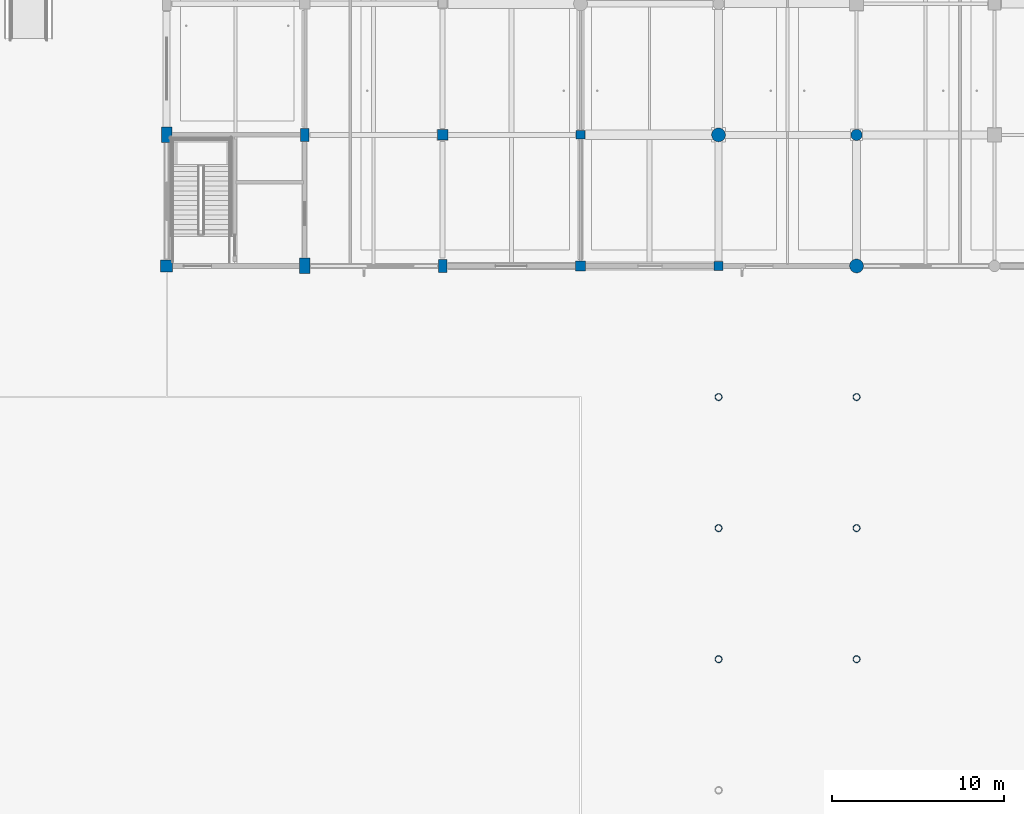
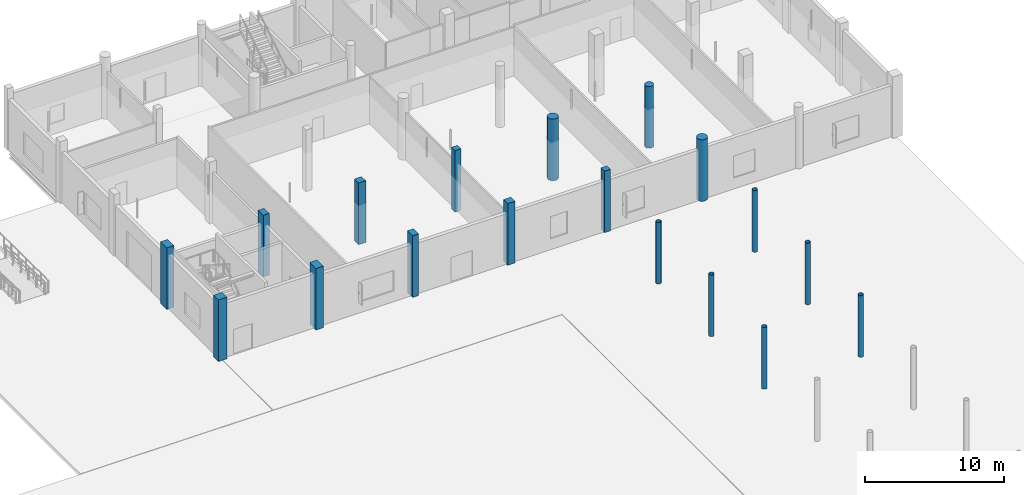
# One storey, part 9 of 126: 18 columns.
"""IFC4 building model written with IfcOpenShell, lengths in metres."""

from ifc_helpers import new_model, si_unit, direction, frame, origin, origin_2d, place, context, subcontext, project, spatial, rectangle, circle, hollow_circle, extrude, material, material_profile, profile_set, type_object, element, save


model = new_model("IFC4")

# Units and contexts
model_context = context("Model", 3, precision=1e-05, world=origin(), true_north=direction((0.0, 1.0)))
body_context = subcontext(model_context, "Body", "Model", "MODEL_VIEW")
ifc_project = project(units=[si_unit("LENGTHUNIT", "METRE"), si_unit("AREAUNIT", "SQUARE_METRE"), si_unit("VOLUMEUNIT", "CUBIC_METRE"), si_unit("PLANEANGLEUNIT", "RADIAN"), si_unit("MASSUNIT", "GRAM", prefix="KILO")], contexts=[model_context])

# Site, building, storey
site_placement = place(None, origin())
site = spatial("IfcSite", under=ifc_project, at=site_placement, CompositionType="ELEMENT")
building_placement = place(site_placement, origin())
building = spatial("IfcBuilding", under=site, at=building_placement, Name="Khelvaren Railside Concert Hall", CompositionType="ELEMENT")
storey_placement = place(building_placement, origin())
storey = spatial("IfcBuildingStorey", under=building, at=storey_placement, Name="L00", CompositionType="ELEMENT", Elevation=0.0)

# Columns
ifc_material_1 = material(Name="Concrete C45/55", Category="concrete")
ifc_material_profile_1 = material_profile(ifc_material_1, rectangle(XDim=0.60009765625, YDim=0.60009765625, at=origin_2d()), Name="RC 600x600")
ifc_profile_set_1 = profile_set([ifc_material_profile_1], Name="Concrete C45/55")
column_type_1 = type_object("IfcColumnType", Name="COL11", PredefinedType="COLUMN", material=ifc_profile_set_1)
column_1_placement = place(storey_placement, frame((152.0, 83.60009765625, 0.0), z_axis=(0.0, 0.0, 1.0), x_axis=(1.0, 0.0, 0.0)))
element("IfcColumn", 1, at=column_1_placement, inside=storey, type_object=column_type_1, Name="V5 L00 Column (152.0,83.6)", PredefinedType="COLUMN", context=body_context, shape_type="SweptSolid", body=[
    extrude(rectangle(XDim=0.60009765625, YDim=0.60009765625, at=origin_2d()), origin(), (0.0, 0.0, 1.0), 5.39990234375),
])
ifc_material_profile_2 = material_profile(ifc_material_1, circle(Radius=0.39990234375, at=origin_2d()), Name="RC D800")
ifc_profile_set_2 = profile_set([ifc_material_profile_2], Name="Concrete C45/55")
column_type_2 = type_object("IfcColumnType", Name="COL14", PredefinedType="COLUMN", material=ifc_profile_set_2)
column_2_placement = place(storey_placement, frame((160.0, 91.199951171875, 0.0), z_axis=(0.0, 0.0, 1.0), x_axis=(1.0, 0.0, 0.0)))
element("IfcColumn", 2, at=column_2_placement, inside=storey, type_object=column_type_2, Name="V5 L00 Column (160.0,91.2)", PredefinedType="COLUMN", context=body_context, shape_type="SweptSolid", body=[
    extrude(circle(Radius=0.39990234375, at=origin_2d()), origin(), (0.0, 0.0, 1.0), 5.39990234375),
])
ifc_material_profile_3 = material_profile(ifc_material_1, rectangle(XDim=0.699951171875, YDim=0.699951171875, at=origin_2d()), Name="RC 700x700")
ifc_profile_set_3 = profile_set([ifc_material_profile_3], Name="Concrete C45/55")
column_type_3 = type_object("IfcColumnType", Name="COL16", PredefinedType="COLUMN", material=ifc_profile_set_3)
column_3_placement = place(storey_placement, frame((128.0, 83.60009765625, 0.0), z_axis=(0.0, 0.0, 1.0), x_axis=(1.0, 0.0, 0.0)))
element("IfcColumn", 3, at=column_3_placement, inside=storey, type_object=column_type_3, Name="V5 L00 Column (128.0,83.6)", PredefinedType="COLUMN", context=body_context, shape_type="SweptSolid", body=[
    extrude(rectangle(XDim=0.699951171875, YDim=0.699951171875, at=origin_2d()), origin(), (0.0, 0.0, 1.0), 5.39990234375),
])
ifc_material_profile_4 = material_profile(ifc_material_1, circle(Radius=0.39990234375, at=origin_2d()), Name="RC D800")
ifc_profile_set_4 = profile_set([ifc_material_profile_4], Name="Concrete C45/55")
column_type_4 = type_object("IfcColumnType", Name="COL22", PredefinedType="COLUMN", material=ifc_profile_set_4)
column_4_placement = place(storey_placement, frame((168.0, 83.60009765625, 0.0), z_axis=(0.0, 0.0, 1.0), x_axis=(1.0, 0.0, 0.0)))
element("IfcColumn", 4, at=column_4_placement, inside=storey, type_object=column_type_4, Name="V5 L00 Column (168.0,83.6)", PredefinedType="COLUMN", context=body_context, shape_type="SweptSolid", body=[
    extrude(circle(Radius=0.39990234375, at=origin_2d()), origin(), (0.0, 0.0, 1.0), 5.39990234375),
])
ifc_material_2 = material(Name="Steel S355", Category="steel")
ifc_material_profile_5 = material_profile(ifc_material_2, hollow_circle(Radius=0.203125, WallThickness=0.02001953125, at=origin_2d()), Name="CHS 406.4x20")
ifc_profile_set_5 = profile_set([ifc_material_profile_5], Name="Steel S355")
column_type_5 = type_object("IfcColumnType", Name="COL27", PredefinedType="COLUMN", material=ifc_profile_set_5)
for number, where, z_axis, x_axis, name in (
    (5, (160.0, 60.800048828125, 0.0), (0.0, 0.0, 1.0), (1.0, 0.0, 0.0), "LB4 L00 Bridge Pier (160,60.8)"),
    (6, (160.0, 68.39990234375, 0.0), (0.0, 0.0, 1.0), (1.0, 0.0, 0.0), "LB4 L00 Bridge Pier (160,68.4)"),
    (7, (160.0, 76.0, 0.0), (0.0, 0.0, 1.0), (1.0, 0.0, 0.0), "LB4 L00 Bridge Pier (160,76.0)"),
    (8, (168.0, 60.800048828125, 0.0), (0.0, 0.0, 1.0), (1.0, 0.0, 0.0), "LB4 L00 Bridge Pier (168,60.8)"),
    (9, (168.0, 68.39990234375, 0.0), (0.0, 0.0, 1.0), (1.0, 0.0, 0.0), "LB4 L00 Bridge Pier (168,68.4)"),
    (10, (168.0, 76.0, 0.0), (0.0, 0.0, 1.0), (1.0, 0.0, 0.0), "LB4 L00 Bridge Pier (168,76.0)"),
):
    element("IfcColumn", number, at=place(storey_placement, frame(where, z_axis=z_axis, x_axis=x_axis)), inside=storey, type_object=column_type_5, Name=name, PredefinedType="COLUMN", context=body_context, shape_type="SweptSolid", body=[
        extrude(hollow_circle(Radius=0.203125, WallThickness=0.02001953125, at=origin_2d()), origin(), (0.0, 0.0, 1.0), 5.39990234375),
    ])
ifc_material_profile_6 = material_profile(ifc_material_1, rectangle(XDim=0.60009765625, YDim=0.60009765625, at=origin_2d()), Name="RC 600x600")
ifc_profile_set_6 = profile_set([ifc_material_profile_6], Name="Concrete C45/55")
column_type_6 = type_object("IfcColumnType", Name="COL29", PredefinedType="COLUMN", material=ifc_profile_set_6)
column_5_placement = place(storey_placement, frame((144.0, 91.199951171875, 0.0), z_axis=(0.0, 0.0, 1.0), x_axis=(1.0, 0.0, 0.0)))
element("IfcColumn", 11, at=column_5_placement, inside=storey, type_object=column_type_6, Name="V5 L00 Column (144.0,91.2)", PredefinedType="COLUMN", context=body_context, shape_type="SweptSolid", body=[
    extrude(rectangle(XDim=0.60009765625, YDim=0.60009765625, at=origin_2d()), origin(), (0.0, 0.0, 1.0), 5.39990234375),
])
ifc_material_profile_7 = material_profile(ifc_material_1, rectangle(XDim=0.5, YDim=0.5, at=origin_2d()), Name="RC 500x500")
ifc_profile_set_7 = profile_set([ifc_material_profile_7], Name="Concrete C45/55")
column_type_7 = type_object("IfcColumnType", Name="COL35", PredefinedType="COLUMN", material=ifc_profile_set_7)
column_6_placement = place(storey_placement, frame((160.0, 83.60009765625, 0.0), z_axis=(0.0, 0.0, 1.0), x_axis=(1.0, 0.0, 0.0)))
element("IfcColumn", 12, at=column_6_placement, inside=storey, type_object=column_type_7, Name="V5 L00 Column (160.0,83.6)", PredefinedType="COLUMN", context=body_context, shape_type="SweptSolid", body=[
    extrude(rectangle(XDim=0.5, YDim=0.5, at=origin_2d()), origin(), (0.0, 0.0, 1.0), 5.39990234375),
])
ifc_material_profile_8 = material_profile(ifc_material_1, rectangle(XDim=0.5, YDim=0.75, at=origin_2d()), Name="RC 500x750")
ifc_profile_set_8 = profile_set([ifc_material_profile_8], Name="Concrete C45/55")
column_type_8 = type_object("IfcColumnType", Name="COL36", PredefinedType="COLUMN", material=ifc_profile_set_8)
column_7_placement = place(storey_placement, frame((136.0, 91.199951171875, 0.0), z_axis=(0.0, 0.0, 1.0), x_axis=(1.0, 0.0, 0.0)))
element("IfcColumn", 13, at=column_7_placement, inside=storey, type_object=column_type_8, Name="V5 L00 Column (136.0,91.2)", PredefinedType="COLUMN", context=body_context, shape_type="SweptSolid", body=[
    extrude(rectangle(XDim=0.5, YDim=0.75, at=origin_2d()), origin(), (0.0, 0.0, 1.0), 5.39990234375),
])
ifc_material_profile_9 = material_profile(ifc_material_1, rectangle(XDim=0.5, YDim=0.5, at=origin_2d()), Name="RC 500x500")
ifc_profile_set_9 = profile_set([ifc_material_profile_9], Name="Concrete C45/55")
column_type_9 = type_object("IfcColumnType", Name="COL84", PredefinedType="COLUMN", material=ifc_profile_set_9)
column_8_placement = place(storey_placement, frame((152.0, 91.199951171875, 0.0), z_axis=(0.0, 0.0, 1.0), x_axis=(1.0, 0.0, 0.0)))
element("IfcColumn", 14, at=column_8_placement, inside=storey, type_object=column_type_9, Name="V5 L00 Column (152.0,91.2)", PredefinedType="COLUMN", context=body_context, shape_type="SweptSolid", body=[
    extrude(rectangle(XDim=0.5, YDim=0.5, at=origin_2d()), origin(), (0.0, 0.0, 1.0), 5.39990234375),
])
ifc_material_profile_10 = material_profile(ifc_material_1, circle(Radius=0.324951171875, at=origin_2d()), Name="RC D650")
ifc_profile_set_10 = profile_set([ifc_material_profile_10], Name="Concrete C45/55")
column_type_10 = type_object("IfcColumnType", Name="COL94", PredefinedType="COLUMN", material=ifc_profile_set_10)
column_9_placement = place(storey_placement, frame((168.0, 91.199951171875, 0.0), z_axis=(0.0, 0.0, 1.0), x_axis=(1.0, 0.0, 0.0)))
element("IfcColumn", 15, at=column_9_placement, inside=storey, type_object=column_type_10, Name="V5 L00 Column (168.0,91.2)", PredefinedType="COLUMN", context=body_context, shape_type="SweptSolid", body=[
    extrude(circle(Radius=0.324951171875, at=origin_2d()), origin(), (0.0, 0.0, 1.0), 5.39990234375),
])
ifc_material_profile_11 = material_profile(ifc_material_1, rectangle(XDim=0.60009765625, YDim=0.89990234375, at=origin_2d()), Name="RC 600x900")
ifc_profile_set_11 = profile_set([ifc_material_profile_11], Name="Concrete C45/55")
column_type_11 = type_object("IfcColumnType", Name="COL95", PredefinedType="COLUMN", material=ifc_profile_set_11)
for number, where, z_axis, x_axis, name in (
    (16, (128.0, 91.199951171875, 0.0), (0.0, 0.0, 1.0), (1.0, 0.0, 0.0), "V5 L00 Column (128.0,91.2)"),
    (17, (136.0, 83.60009765625, 0.0), (0.0, 0.0, 1.0), (1.0, 0.0, 0.0), "V5 L00 Column (136.0,83.6)"),
):
    element("IfcColumn", number, at=place(storey_placement, frame(where, z_axis=z_axis, x_axis=x_axis)), inside=storey, type_object=column_type_11, Name=name, PredefinedType="COLUMN", context=body_context, shape_type="SweptSolid", body=[
        extrude(rectangle(XDim=0.60009765625, YDim=0.89990234375, at=origin_2d()), origin(), (0.0, 0.0, 1.0), 5.39990234375),
    ])
ifc_material_profile_12 = material_profile(ifc_material_1, rectangle(XDim=0.5, YDim=0.75, at=origin_2d()), Name="RC 500x750")
ifc_profile_set_12 = profile_set([ifc_material_profile_12], Name="Concrete C45/55")
column_type_12 = type_object("IfcColumnType", Name="COL97", PredefinedType="COLUMN", material=ifc_profile_set_12)
column_10_placement = place(storey_placement, frame((144.0, 83.60009765625, 0.0), z_axis=(0.0, 0.0, 1.0), x_axis=(1.0, 0.0, 0.0)))
element("IfcColumn", 18, at=column_10_placement, inside=storey, type_object=column_type_12, Name="V5 L00 Column (144.0,83.6)", PredefinedType="COLUMN", context=body_context, shape_type="SweptSolid", body=[
    extrude(rectangle(XDim=0.5, YDim=0.75, at=origin_2d()), origin(), (0.0, 0.0, 1.0), 5.39990234375),
])

save(model, "model.ifc")
